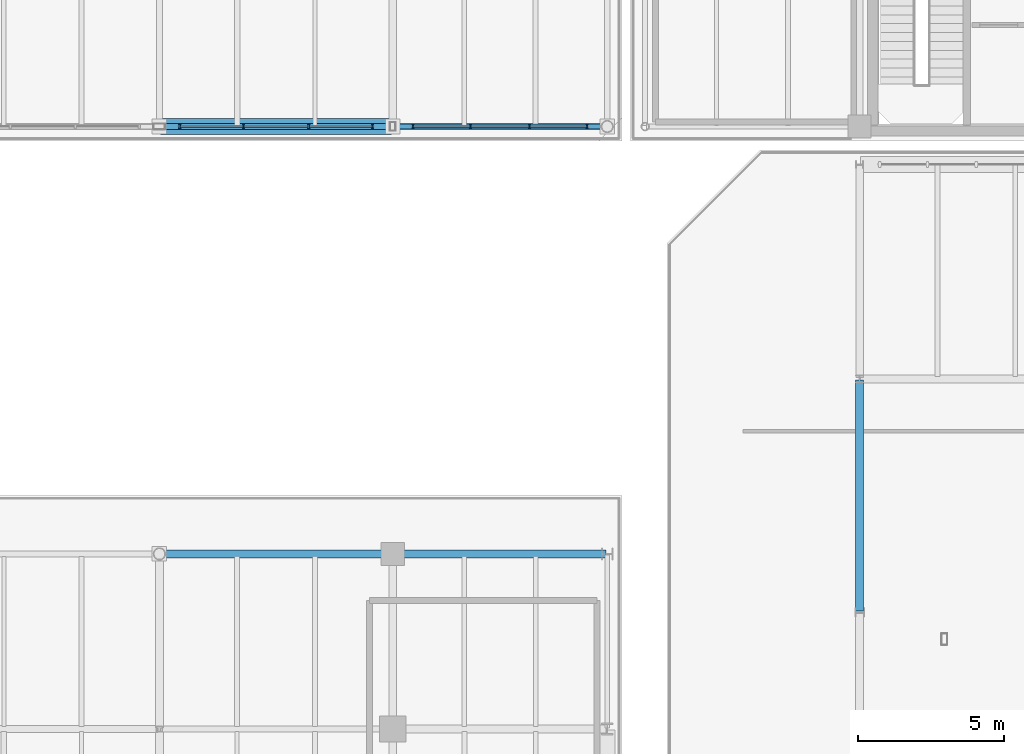
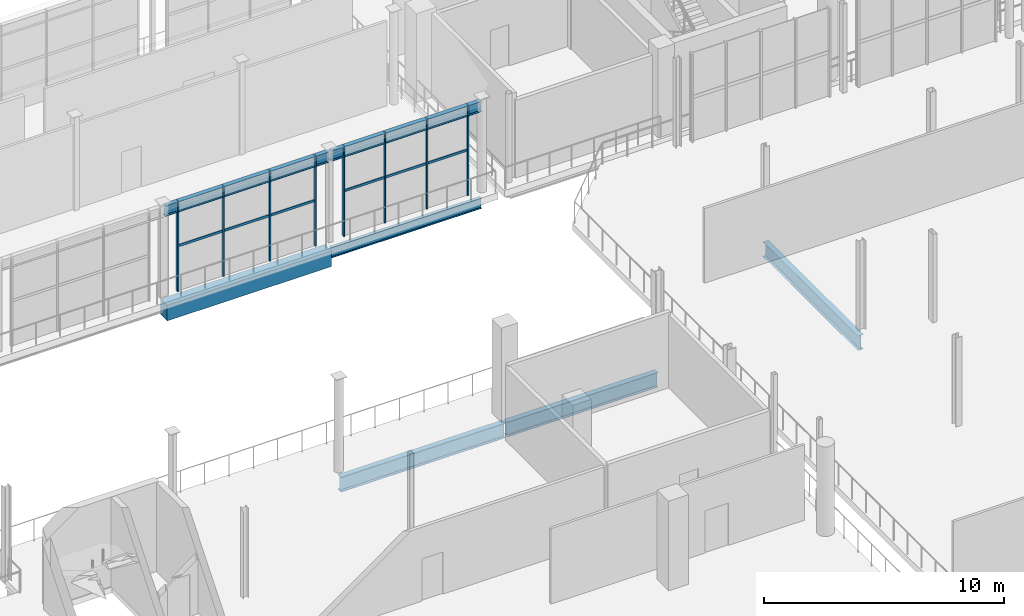
# One storey, part 44 of 93: 14 members, 7 beams, 2 elements without a shape of their own.
"""IFC4 building model written with IfcOpenShell, lengths in metres."""

from ifc_helpers import new_model, si_unit, direction, frame, origin, origin_2d, place, context, subcontext, project, spatial, rectangle, i_section, extrude, material, material_profile, profile_set, type_object, element, aggregate, save


model = new_model("IFC4")

# Units and contexts
model_context = context("Model", 3, precision=1e-05, world=origin(), true_north=direction((0.0, 1.0)))
body_context = subcontext(model_context, "Body", "Model", "MODEL_VIEW")
ifc_project = project(units=[si_unit("LENGTHUNIT", "METRE"), si_unit("AREAUNIT", "SQUARE_METRE"), si_unit("VOLUMEUNIT", "CUBIC_METRE"), si_unit("PLANEANGLEUNIT", "RADIAN"), si_unit("MASSUNIT", "GRAM", prefix="KILO")], contexts=[model_context])

# Site, building, storey
site_placement = place(None, origin())
site = spatial("IfcSite", under=ifc_project, at=site_placement, CompositionType="ELEMENT")
building_placement = place(site_placement, origin())
building = spatial("IfcBuilding", under=site, at=building_placement, Name="Brisemont Oceanarium", CompositionType="ELEMENT")
storey_placement = place(building_placement, frame((0.0, 0.0, 5.39990234375)))
storey = spatial("IfcBuildingStorey", under=building, at=storey_placement, Name="L01", CompositionType="ELEMENT", Elevation=5.39990234375)

# Beams
ifc_material_1 = material(Name="Concrete C40/50", Category="concrete")
ifc_material_profile_1 = material_profile(ifc_material_1, rectangle(XDim=0.550048828125, YDim=0.800048828125, at=origin_2d()), Name="RC-BM-550X800")
ifc_profile_set_1 = profile_set([ifc_material_profile_1], Name="Concrete C40/50")
beam_type_1 = type_object("IfcBeamType", Name="BM-RC550X800", PredefinedType="SPANDREL", material=ifc_profile_set_1)
beam_1_placement = place(storey_placement, frame((40.0400390625, 80.64990234375, -0.739990234375), z_axis=(1.0, 0.0, 0.0), x_axis=(0.0, 1.0, 0.0)))
element("IfcBeam", 1, at=beam_1_placement, inside=storey, type_object=beam_type_1, Name="V7W L01 EW girder", PredefinedType="SPANDREL", context=body_context, shape_type="SweptSolid", body=[
    extrude(rectangle(XDim=0.550048828125, YDim=0.800048828125, at=origin_2d()), origin(), (0.0, 0.0, 1.0), 7.919921875),
])
ifc_material_2 = material(Name="Structural Steel ASTM A992 Gr.50", Category="steel")
ifc_material_profile_2 = material_profile(ifc_material_2, i_section(OverallWidth=0.166015625, OverallDepth=0.528076171875, WebThickness=0.009765625, FlangeThickness=0.013671875, FilletRadius=0.012939453125, at=origin_2d()), Name="W21X50")
ifc_profile_set_2 = profile_set([ifc_material_profile_2], Name="Structural Steel ASTM A992 Gr.50")
beam_type_2 = type_object("IfcBeamType", Name="BM-W21X50", PredefinedType="SPANDREL", material=ifc_profile_set_2)
beam_2_placement = place(storey_placement, frame((48.0400390625, 80.64990234375, -0.60400390625), z_axis=(1.0, 0.0, 0.0), x_axis=(0.0, 1.0, 0.0)))
element("IfcBeam", 2, at=beam_2_placement, inside=storey, type_object=beam_type_2, Name="V7W L01 EW girder", PredefinedType="SPANDREL", context=body_context, shape_type="SweptSolid", body=[
    extrude(i_section(OverallWidth=0.166015625, OverallDepth=0.528076171875, WebThickness=0.009765625, FlangeThickness=0.013671875, FilletRadius=0.012939453125, at=origin_2d()), origin(), (0.0, 0.0, 1.0), 7.27001953125),
])
ifc_material_3 = material(Name="Structural Steel ASTM A992 Gr.50", Category="steel")
ifc_material_profile_3 = material_profile(ifc_material_3, i_section(OverallWidth=0.2099609375, OverallDepth=0.532958984375, WebThickness=0.01025390625, FlangeThickness=0.015625, FilletRadius=0.012939453125, at=origin_2d()), Name="W21X62")
ifc_profile_set_3 = profile_set([ifc_material_profile_3], Name="Structural Steel ASTM A992 Gr.50")
beam_type_3 = type_object("IfcBeamType", Name="BM-W21X62", PredefinedType="BEAM", material=ifc_profile_set_3)
beam_3_placement = place(storey_placement, frame((40.0400390625, 80.64990234375, 4.33349609375), z_axis=(1.0, 0.0, 0.0), x_axis=(0.0, 1.0, 0.0)))
element("IfcBeam", 3, at=beam_3_placement, inside=storey, type_object=beam_type_3, Name="V7W roof eave girder", PredefinedType="BEAM", context=body_context, shape_type="SweptSolid", body=[
    extrude(i_section(OverallWidth=0.2099609375, OverallDepth=0.532958984375, WebThickness=0.01025390625, FlangeThickness=0.015625, FilletRadius=0.012939453125, at=origin_2d()), origin(), (0.0, 0.0, 1.0), 7.919921875),
])
beam_4_placement = place(storey_placement, frame((48.0400390625, 80.64990234375, 4.33349609375), z_axis=(1.0, 0.0, 0.0), x_axis=(0.0, 1.0, 0.0)))
element("IfcBeam", 4, at=beam_4_placement, inside=storey, type_object=beam_type_3, Name="V7W roof eave girder", PredefinedType="BEAM", context=body_context, shape_type="SweptSolid", body=[
    extrude(i_section(OverallWidth=0.2099609375, OverallDepth=0.532958984375, WebThickness=0.01025390625, FlangeThickness=0.015625, FilletRadius=0.012939453125, at=origin_2d()), origin(), (0.0, 0.0, 1.0), 7.27001953125),
])
ifc_material_4 = material(Name="Structural Steel ASTM A992 Gr.50", Category="steel")
ifc_material_profile_4 = material_profile(ifc_material_4, i_section(OverallWidth=0.26708984375, OverallDepth=0.761962890625, WebThickness=0.014404296875, FlangeThickness=0.021484375, FilletRadius=0.01611328125, at=origin_2d()), Name="W30X116")
ifc_profile_set_4 = profile_set([ifc_material_profile_4], Name="Structural Steel ASTM A992 Gr.50")
beam_type_4 = type_object("IfcBeamType", Name="BM-W30X116", PredefinedType="BEAM", material=ifc_profile_set_4)
beam_5_placement = place(storey_placement, frame((40.0400390625, 66.0, -0.680908203125), z_axis=(1.0, 0.0, 0.0), x_axis=(0.0, 1.0, 0.0)))
element("IfcBeam", 5, at=beam_5_placement, inside=storey, type_object=beam_type_4, Name="V5W L01 EW girder", PredefinedType="BEAM", context=body_context, shape_type="SweptSolid", body=[
    extrude(i_section(OverallWidth=0.26708984375, OverallDepth=0.761962890625, WebThickness=0.014404296875, FlangeThickness=0.021484375, FilletRadius=0.01611328125, at=origin_2d()), origin(), (0.0, 0.0, 1.0), 7.919921875),
])
ifc_material_5 = material(Name="Structural Steel ASTM A992 Gr.50", Category="steel")
ifc_material_profile_5 = material_profile(ifc_material_5, i_section(OverallWidth=0.264892578125, OverallDepth=0.7529296875, WebThickness=0.01318359375, FlangeThickness=0.01708984375, FilletRadius=0.01611328125, at=origin_2d()), Name="W30X99")
ifc_profile_set_5 = profile_set([ifc_material_profile_5], Name="Structural Steel ASTM A992 Gr.50")
beam_type_5 = type_object("IfcBeamType", Name="BM-W30X99", PredefinedType="BEAM", material=ifc_profile_set_5)
beam_6_placement = place(storey_placement, frame((64.0, 64.0400390625, -0.71630859375), z_axis=(0.0, 1.0, 0.0), x_axis=(-1.0, 0.0, 0.0)))
element("IfcBeam", 6, at=beam_6_placement, inside=storey, type_object=beam_type_5, Name="V1 L01 NS girder", PredefinedType="BEAM", context=body_context, shape_type="SweptSolid", body=[
    extrude(i_section(OverallWidth=0.264892578125, OverallDepth=0.7529296875, WebThickness=0.01318359375, FlangeThickness=0.01708984375, FilletRadius=0.01611328125, at=origin_2d()), origin(), (0.0, 0.0, 1.0), 7.919921875),
])
beam_7_placement = place(storey_placement, frame((48.0400390625, 66.0, -0.676513671875), z_axis=(1.0, 0.0, 0.0), x_axis=(0.0, 1.0, 0.0)))
element("IfcBeam", 7, at=beam_7_placement, inside=storey, type_object=beam_type_5, Name="V5W L01 EW girder", PredefinedType="BEAM", context=body_context, shape_type="SweptSolid", body=[
    extrude(i_section(OverallWidth=0.264892578125, OverallDepth=0.7529296875, WebThickness=0.01318359375, FlangeThickness=0.01708984375, FilletRadius=0.01611328125, at=origin_2d()), origin(), (0.0, 0.0, 1.0), 7.27001953125),
])

# Curtain wall, members
ifc_material_6 = material(Name="Anodized Extruded Aluminum 6063-T6", Category="aluminium")
curtain_wall_type = type_object("IfcCurtainWallType", Name="CW-CLR-58X36", PredefinedType="NOTDEFINED", material=ifc_material_6)
curtain_wall_1_placement = place(storey_placement, origin())
curtain_wall_1 = element("IfcCurtainWall", 8, at=curtain_wall_1_placement, inside=storey, type_object=curtain_wall_type, Name="CW-21 curtain wall CW-V7W-S-L01-04", PredefinedType="NOTDEFINED")
ifc_material_7 = material(Name="Anodized Extruded Aluminum 6063-T6", Category="aluminium")
ifc_material_profile_6 = material_profile(ifc_material_7, rectangle(XDim=0.06005859375, YDim=0.14990234375, at=origin_2d()), Name="CWM-60X150")
ifc_profile_set_6 = profile_set([ifc_material_profile_6], Name="Anodized Extruded Aluminum 6063-T6")
member_type_1 = type_object("IfcMemberType", Name="MEM-CWM-60", PredefinedType="MULLION", material=ifc_profile_set_6)
member_1_placement = place(storey_placement, frame((40.695068359375, 80.64990234375, 0.0), z_axis=(0.0, 0.0, 1.0), x_axis=(1.0, 0.0, 0.0)))
member_1 = element("IfcMember", 9, at=member_1_placement, type_object=member_type_1, Name="CW-V7W-S-L01-04 mullion 1", PredefinedType="MULLION", context=body_context, shape_type="SweptSolid", body=[
    extrude(rectangle(XDim=0.06005859375, YDim=0.14990234375, at=origin_2d()), origin(), (0.0, 0.0, 1.0), 4.60009765625),
])
member_2_placement = place(storey_placement, frame((42.88330078125, 80.64990234375, 0.0), z_axis=(0.0, 0.0, 1.0), x_axis=(1.0, 0.0, 0.0)))
member_2 = element("IfcMember", 10, at=member_2_placement, type_object=member_type_1, Name="CW-V7W-S-L01-04 mullion 2", PredefinedType="MULLION", context=body_context, shape_type="SweptSolid", body=[
    extrude(rectangle(XDim=0.06005859375, YDim=0.14990234375, at=origin_2d()), origin(), (0.0, 0.0, 1.0), 4.60009765625),
])
member_3_placement = place(storey_placement, frame((45.11669921875, 80.64990234375, 0.0), z_axis=(0.0, 0.0, 1.0), x_axis=(1.0, 0.0, 0.0)))
member_3 = element("IfcMember", 11, at=member_3_placement, type_object=member_type_1, Name="CW-V7W-S-L01-04 mullion 3", PredefinedType="MULLION", context=body_context, shape_type="SweptSolid", body=[
    extrude(rectangle(XDim=0.06005859375, YDim=0.14990234375, at=origin_2d()), origin(), (0.0, 0.0, 1.0), 4.60009765625),
])
member_4_placement = place(storey_placement, frame((47.304931640625, 80.64990234375, 0.0), z_axis=(0.0, 0.0, 1.0), x_axis=(1.0, 0.0, 0.0)))
member_4 = element("IfcMember", 12, at=member_4_placement, type_object=member_type_1, Name="CW-V7W-S-L01-04 mullion 4", PredefinedType="MULLION", context=body_context, shape_type="SweptSolid", body=[
    extrude(rectangle(XDim=0.06005859375, YDim=0.14990234375, at=origin_2d()), origin(), (0.0, 0.0, 1.0), 4.60009765625),
])

curtain_wall_2_placement = place(storey_placement, origin())
curtain_wall_2 = element("IfcCurtainWall", 13, at=curtain_wall_2_placement, inside=storey, type_object=curtain_wall_type, Name="CW-21 curtain wall CW-V7W-S-L01-05", PredefinedType="NOTDEFINED")
member_5_placement = place(storey_placement, frame((48.695068359375, 80.64990234375, 0.0), z_axis=(0.0, 0.0, 1.0), x_axis=(1.0, 0.0, 0.0)))
member_5 = element("IfcMember", 14, at=member_5_placement, type_object=member_type_1, Name="CW-V7W-S-L01-05 mullion 1", PredefinedType="MULLION", context=body_context, shape_type="SweptSolid", body=[
    extrude(rectangle(XDim=0.06005859375, YDim=0.14990234375, at=origin_2d()), origin(), (0.0, 0.0, 1.0), 4.60009765625),
])
member_6_placement = place(storey_placement, frame((50.666748046875, 80.64990234375, 0.0), z_axis=(0.0, 0.0, 1.0), x_axis=(1.0, 0.0, 0.0)))
member_6 = element("IfcMember", 15, at=member_6_placement, type_object=member_type_1, Name="CW-V7W-S-L01-05 mullion 2", PredefinedType="MULLION", context=body_context, shape_type="SweptSolid", body=[
    extrude(rectangle(XDim=0.06005859375, YDim=0.14990234375, at=origin_2d()), origin(), (0.0, 0.0, 1.0), 4.60009765625),
])
member_7_placement = place(storey_placement, frame((52.683349609375, 80.64990234375, 0.0), z_axis=(0.0, 0.0, 1.0), x_axis=(1.0, 0.0, 0.0)))
member_7 = element("IfcMember", 16, at=member_7_placement, type_object=member_type_1, Name="CW-V7W-S-L01-05 mullion 3", PredefinedType="MULLION", context=body_context, shape_type="SweptSolid", body=[
    extrude(rectangle(XDim=0.06005859375, YDim=0.14990234375, at=origin_2d()), origin(), (0.0, 0.0, 1.0), 4.60009765625),
])
member_8_placement = place(storey_placement, frame((54.655029296875, 80.64990234375, 0.0), z_axis=(0.0, 0.0, 1.0), x_axis=(1.0, 0.0, 0.0)))
member_8 = element("IfcMember", 17, at=member_8_placement, type_object=member_type_1, Name="CW-V7W-S-L01-05 mullion 4", PredefinedType="MULLION", context=body_context, shape_type="SweptSolid", body=[
    extrude(rectangle(XDim=0.06005859375, YDim=0.14990234375, at=origin_2d()), origin(), (0.0, 0.0, 1.0), 4.60009765625),
])

# Member
ifc_material_8 = material(Name="Anodized Extruded Aluminum 6063-T6", Category="aluminium")
ifc_material_profile_7 = material_profile(ifc_material_8, rectangle(XDim=0.06005859375, YDim=0.1201171875, at=origin_2d()), Name="CWT-60X120")
ifc_profile_set_7 = profile_set([ifc_material_profile_7], Name="Anodized Extruded Aluminum 6063-T6")
member_type_2 = type_object("IfcMemberType", Name="MEM-CWT-60", PredefinedType="USERDEFINED", material=ifc_profile_set_7)
member_9_placement = place(storey_placement, frame((40.6650390625, 80.64990234375, 2.300048828125), z_axis=(1.0, 0.0, 0.0), x_axis=(0.0, 1.0, 0.0)))
member_9 = element("IfcMember", 18, at=member_9_placement, type_object=member_type_2, Name="CW-V7W-S-L01-04 transom 1.1", ObjectType="TRANSOM", PredefinedType="USERDEFINED", context=body_context, shape_type="SweptSolid", body=[
    extrude(rectangle(XDim=0.06005859375, YDim=0.1201171875, at=origin_2d()), origin(), (0.0, 0.0, 1.0), 2.203369140625),
])

member_10_placement = place(storey_placement, frame((42.898193359375, 80.64990234375, 2.300048828125), z_axis=(1.0, 0.0, 0.0), x_axis=(0.0, 1.0, 0.0)))
member_10 = element("IfcMember", 19, at=member_10_placement, type_object=member_type_2, Name="CW-V7W-S-L01-04 transom 2.1", ObjectType="TRANSOM", PredefinedType="USERDEFINED", context=body_context, shape_type="SweptSolid", body=[
    extrude(rectangle(XDim=0.06005859375, YDim=0.1201171875, at=origin_2d()), origin(), (0.0, 0.0, 1.0), 2.20361328125),
])

member_11_placement = place(storey_placement, frame((45.131591796875, 80.64990234375, 2.300048828125), z_axis=(1.0, 0.0, 0.0), x_axis=(0.0, 1.0, 0.0)))
member_11 = element("IfcMember", 20, at=member_11_placement, type_object=member_type_2, Name="CW-V7W-S-L01-04 transom 3.1", ObjectType="TRANSOM", PredefinedType="USERDEFINED", context=body_context, shape_type="SweptSolid", body=[
    extrude(rectangle(XDim=0.06005859375, YDim=0.1201171875, at=origin_2d()), origin(), (0.0, 0.0, 1.0), 2.203369140625),
])

aggregate(curtain_wall_1, [member_1, member_2, member_3, member_4, member_9, member_10, member_11])

member_12_placement = place(storey_placement, frame((48.6650390625, 80.64990234375, 2.300048828125), z_axis=(1.0, 0.0, 0.0), x_axis=(0.0, 1.0, 0.0)))
member_12 = element("IfcMember", 21, at=member_12_placement, type_object=member_type_2, Name="CW-V7W-S-L01-05 transom 1.1", ObjectType="TRANSOM", PredefinedType="USERDEFINED", context=body_context, shape_type="SweptSolid", body=[
    extrude(rectangle(XDim=0.06005859375, YDim=0.1201171875, at=origin_2d()), origin(), (0.0, 0.0, 1.0), 1.986572265625),
])

member_13_placement = place(storey_placement, frame((50.681640625, 80.64990234375, 2.300048828125), z_axis=(1.0, 0.0, 0.0), x_axis=(0.0, 1.0, 0.0)))
member_13 = element("IfcMember", 22, at=member_13_placement, type_object=member_type_2, Name="CW-V7W-S-L01-05 transom 2.1", ObjectType="TRANSOM", PredefinedType="USERDEFINED", context=body_context, shape_type="SweptSolid", body=[
    extrude(rectangle(XDim=0.06005859375, YDim=0.1201171875, at=origin_2d()), origin(), (0.0, 0.0, 1.0), 1.986572265625),
])

member_14_placement = place(storey_placement, frame((52.6982421875, 80.64990234375, 2.300048828125), z_axis=(1.0, 0.0, 0.0), x_axis=(0.0, 1.0, 0.0)))
member_14 = element("IfcMember", 23, at=member_14_placement, type_object=member_type_2, Name="CW-V7W-S-L01-05 transom 3.1", ObjectType="TRANSOM", PredefinedType="USERDEFINED", context=body_context, shape_type="SweptSolid", body=[
    extrude(rectangle(XDim=0.06005859375, YDim=0.1201171875, at=origin_2d()), origin(), (0.0, 0.0, 1.0), 1.98681640625),
])

aggregate(curtain_wall_2, [member_5, member_6, member_7, member_8, member_12, member_13, member_14])

save(model, "model.ifc")
